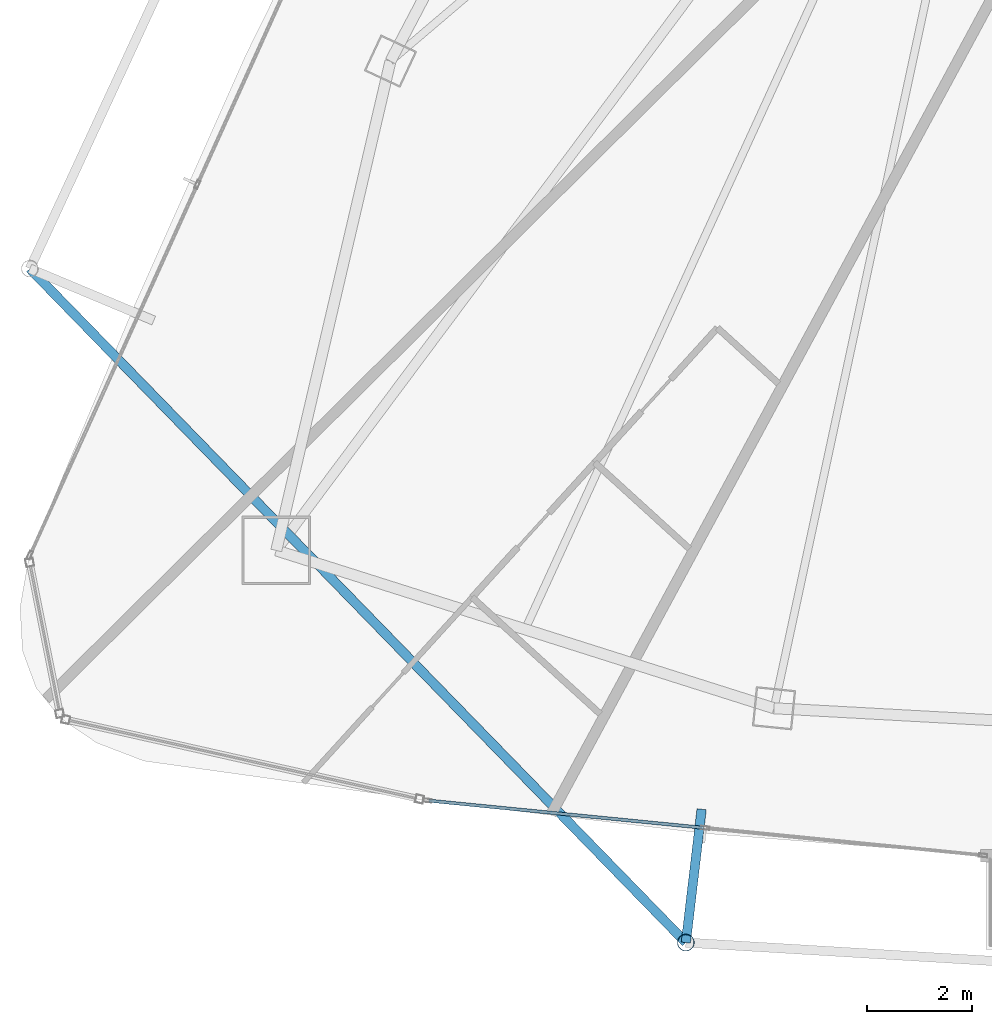
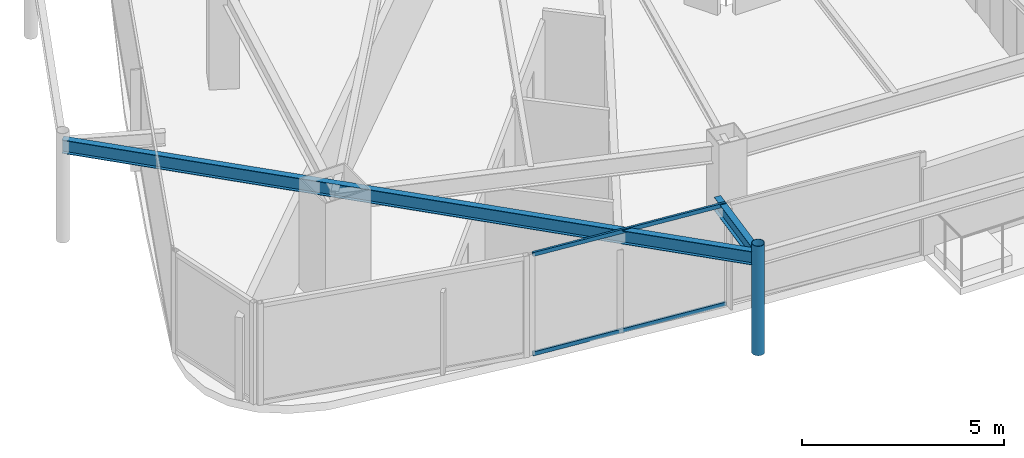
# One storey, part 3 of 34: 3 members, 2 beams, 1 element without a shape of its own.
"""IFC4 building model written with IfcOpenShell, lengths in metres."""

from ifc_helpers import new_model, si_unit, direction, frame, origin, origin_2d, place, context, subcontext, project, spatial, hollow_rectangle, hollow_circle, i_section, extrude, material, layer, layer_set, material_profile, profile_set, type_object, element, aggregate, save


model = new_model("IFC4")

# Units and contexts
model_context = context("Model", 3, precision=1e-05, world=origin(), true_north=direction((0.0, 1.0)))
body_context = subcontext(model_context, "Body", "Model", "MODEL_VIEW")
ifc_project = project(units=[si_unit("LENGTHUNIT", "METRE"), si_unit("AREAUNIT", "SQUARE_METRE"), si_unit("VOLUMEUNIT", "CUBIC_METRE"), si_unit("PLANEANGLEUNIT", "RADIAN"), si_unit("MASSUNIT", "GRAM", prefix="KILO")], contexts=[model_context])

# Site, building, storey
site_placement = place(None, origin())
site = spatial("IfcSite", under=ifc_project, at=site_placement, CompositionType="ELEMENT")
building_placement = place(site_placement, origin())
building = spatial("IfcBuilding", under=site, at=building_placement, Name="Orvanel Arch Residences", CompositionType="ELEMENT")
storey_placement = place(building_placement, frame((0.0, 0.0, 199.699951171875)))
storey = spatial("IfcBuildingStorey", under=building, at=storey_placement, Name="L56", CompositionType="ELEMENT", Elevation=199.699951171875)

# Beams
ifc_material_1 = material(Name="Structural steel AS/NZS 3679.1 Grade 300 (300 MPa)", Category="steel")
ifc_material_profile_1 = material_profile(ifc_material_1, i_section(OverallWidth=0.177978515625, OverallDepth=0.406005859375, WebThickness=0.0078125, FlangeThickness=0.0126953125, at=origin_2d()), Name="410UB59.7")
ifc_profile_set_1 = profile_set([ifc_material_profile_1], Name="Structural steel AS/NZS 3679.1 Grade 300 (300 MPa)")
beam_type = type_object("IfcBeamType", Name="OB-410UB-EXT", PredefinedType="SPANDREL", material=ifc_profile_set_1)
beam_1_placement = place(storey_placement, frame((9.52001953125, 15.700927734375, 2.85693359375), z_axis=(0.697526543764, -0.716558944362, 0.0), x_axis=(0.716558944362, 0.697526543764, 0.0)))
element("IfcBeam", 1, at=beam_1_placement, inside=storey, type_object=beam_type, Name="L56 Outer Perimeter Floor Ring Beam 04", PredefinedType="SPANDREL", context=body_context, shape_type="SweptSolid", body=[
    extrude(i_section(OverallWidth=0.177978515625, OverallDepth=0.406005859375, WebThickness=0.0078125, FlangeThickness=0.0126953125, at=origin_2d()), origin(), (0.0, 0.0, 1.0), 17.85595703125),
])
beam_2_placement = place(storey_placement, frame((22.27490234375, 5.43798828125, 2.85693359375), z_axis=(-0.117585676087, -0.993062741613, 0.0), x_axis=(0.993062741613, -0.117585676087, 0.0)))
element("IfcBeam", 2, at=beam_2_placement, inside=storey, type_object=beam_type, Name="L56 Outer Frame Radial Tie Beam 05", PredefinedType="SPANDREL", context=body_context, shape_type="SweptSolid", body=[
    extrude(i_section(OverallWidth=0.177978515625, OverallDepth=0.406005859375, WebThickness=0.0078125, FlangeThickness=0.0126953125, at=origin_2d()), origin(), (0.0, 0.0, 1.0), 2.549560546875),
])

# Member
ifc_material_2 = material(Name="Structural steel AS/NZS 1163 C350L0 (Grade 350)", Category="steel")
ifc_material_profile_2 = material_profile(ifc_material_2, hollow_circle(Radius=0.162109375, WallThickness=0.0126953125, at=origin_2d()), Name="CHS324x12.7")
ifc_profile_set_2 = profile_set([ifc_material_profile_2], Name="Structural steel AS/NZS 1163 C350L0 (Grade 350)")
member_type_1 = type_object("IfcMemberType", Name="ST-324CHS-EXT", PredefinedType="STRUT", material=ifc_profile_set_2)
member_1_placement = place(storey_placement, frame((21.97509765625, 2.906005859375, 0.0), z_axis=(0.0, 0.0, 1.0), x_axis=(1.0, 0.0, 0.0)))
element("IfcMember", 3, at=member_1_placement, inside=storey, type_object=member_type_1, Name="L56 Outer Perimeter Frame Post 05", PredefinedType="STRUT", context=body_context, shape_type="SweptSolid", body=[
    extrude(hollow_circle(Radius=0.162109375, WallThickness=0.0126953125, at=origin_2d()), origin(), (0.0, 0.0, 1.0), 3.300048828125),
])

# Curtain wall, members
ifc_material_3 = material(Name="Bronze-anodised aluminium AA6063-T6", Category="aluminium")
ifc_layer = layer(ifc_material_3, 0.175048828125)
ifc_layer_set = layer_set([ifc_layer], Name="Bronze-anodised aluminium AA6063-T6")
curtain_wall_type = type_object("IfcCurtainWallType", Name="CW4-HI-SYS", PredefinedType="NOTDEFINED", material=ifc_layer_set)
curtain_wall_placement = place(storey_placement, origin())
curtain_wall = element("IfcCurtainWall", 4, at=curtain_wall_placement, inside=storey, type_object=curtain_wall_type, Name="L56 CW4-HI-SYS Unitised Curtain Wall", PredefinedType="NOTDEFINED")
ifc_material_profile_3 = material_profile(ifc_material_3, hollow_rectangle(XDim=0.06005859375, YDim=0.1201171875, WallThickness=0.00341796875, at=origin_2d()), Name="ALU120x60x3.5")
ifc_profile_set_3 = profile_set([ifc_material_profile_3], Name="Bronze-anodised aluminium AA6063-T6")
member_type_2 = type_object("IfcMemberType", Name="TRN-120x60", PredefinedType="USERDEFINED", material=ifc_profile_set_3)
member_2_placement = place(storey_placement, frame((17.0986328125, 5.6005859375, 0.030029296875), z_axis=(0.995145527242, -0.098414326244, 0.0), x_axis=(0.098414326244, 0.995145527242, 0.0)))
member_2 = element("IfcMember", 5, at=member_2_placement, type_object=member_type_2, Name="CW-S4 transom 1.1", ObjectType="TRANSOM", PredefinedType="USERDEFINED", context=body_context, shape_type="SweptSolid", body=[
    extrude(hollow_rectangle(XDim=0.06005859375, YDim=0.1201171875, WallThickness=0.00341796875, at=origin_2d()), origin(), (0.0, 0.0, 1.0), 5.23681640625),
])
member_3_placement = place(storey_placement, frame((17.0986328125, 5.6005859375, 3.030029296875), z_axis=(0.995145527242, -0.098414326244, 0.0), x_axis=(0.098414326244, 0.995145527242, 0.0)))
member_3 = element("IfcMember", 6, at=member_3_placement, type_object=member_type_2, Name="CW-S4 transom 1.2", ObjectType="TRANSOM", PredefinedType="USERDEFINED", context=body_context, shape_type="SweptSolid", body=[
    extrude(hollow_rectangle(XDim=0.06005859375, YDim=0.1201171875, WallThickness=0.00341796875, at=origin_2d()), origin(), (0.0, 0.0, 1.0), 5.23681640625),
])
aggregate(curtain_wall, [member_2, member_3])

save(model, "model.ifc")
